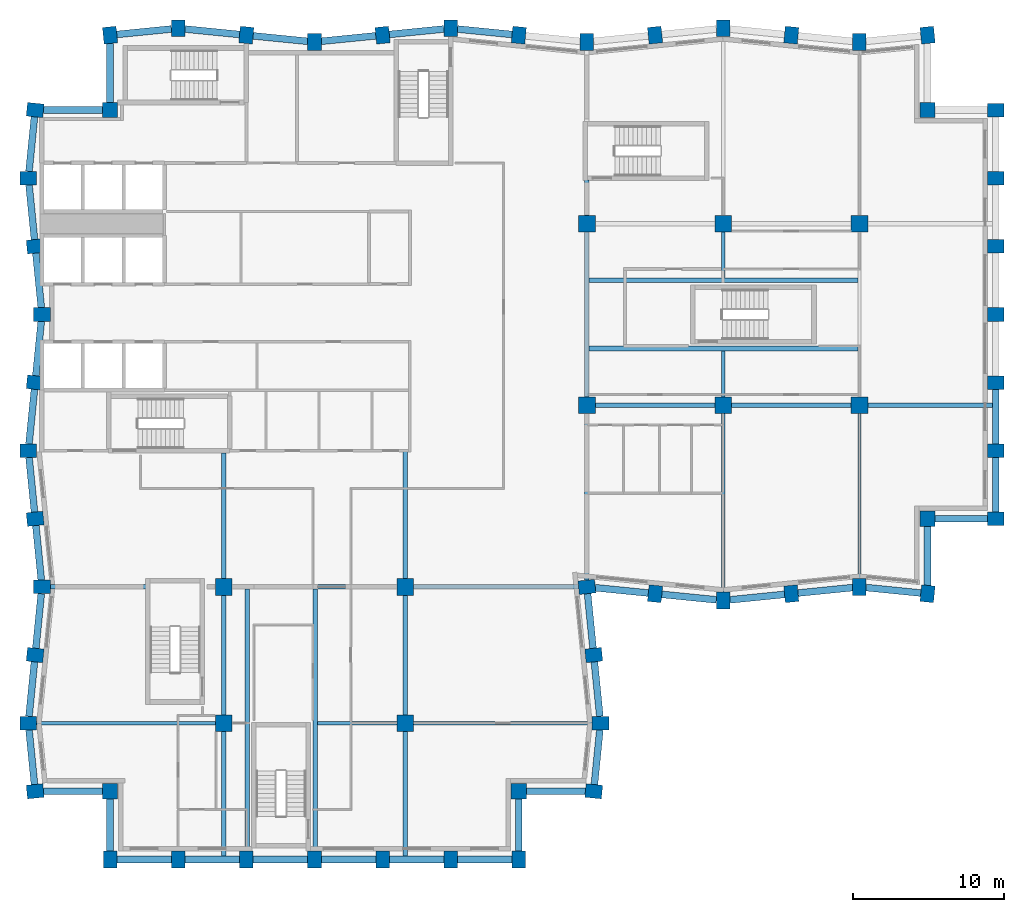
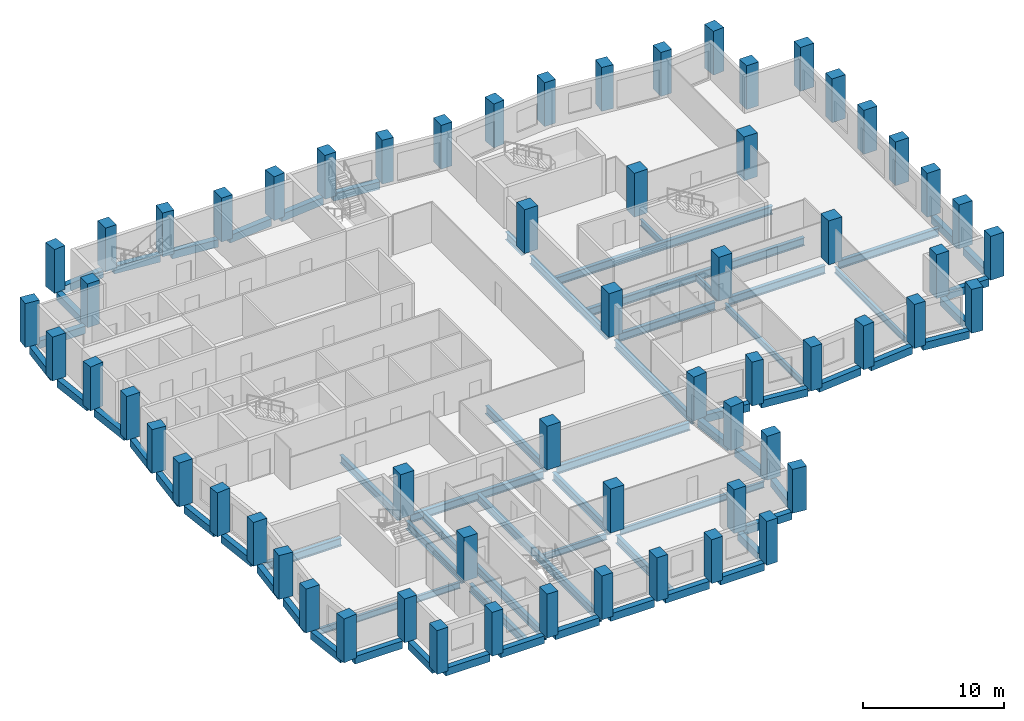
# One storey, part 1 of 10: 66 beams, 62 columns.
"""IFC4 building model written with IfcOpenShell, lengths in metres."""

from ifc_helpers import new_model, si_unit, direction, frame, origin, origin_2d, place, context, subcontext, project, spatial, rectangle, i_section, extrude, material, material_profile, profile_set, type_object, element, save


model = new_model("IFC4")

# Units and contexts
model_context = context("Model", 3, precision=1e-05, world=origin(), true_north=direction((0.0, 1.0)))
body_context = subcontext(model_context, "Body", "Model", "MODEL_VIEW")
ifc_project = project(units=[si_unit("LENGTHUNIT", "METRE"), si_unit("AREAUNIT", "SQUARE_METRE"), si_unit("VOLUMEUNIT", "CUBIC_METRE"), si_unit("PLANEANGLEUNIT", "RADIAN"), si_unit("MASSUNIT", "GRAM", prefix="KILO")], contexts=[model_context])

# Site, building, storey
site_placement = place(None, origin())
site = spatial("IfcSite", under=ifc_project, at=site_placement, CompositionType="ELEMENT")
building_placement = place(site_placement, origin())
building = spatial("IfcBuilding", under=site, at=building_placement, Name="Brondeck Convention Tower", CompositionType="ELEMENT")
storey_placement = place(building_placement, frame((0.0, 0.0, 147.199951171875)))
storey = spatial("IfcBuildingStorey", under=building, at=storey_placement, Name="L35", CompositionType="ELEMENT", Elevation=147.199951171875)

# Columns
ifc_material_1 = material(Name="Concrete C70/85", Category="concrete")
ifc_material_profile_1 = material_profile(ifc_material_1, rectangle(XDim=1.0, YDim=1.0, at=origin_2d()), Name="Corner column 1000x1000 Concrete C70/85")
ifc_profile_set_1 = profile_set([ifc_material_profile_1], Name="Concrete C70/85")
column_type_1 = type_object("IfcColumnType", Name="Corner column 1000x1000 Concrete C70/85", PredefinedType="COLUMN", material=ifc_profile_set_1)
for number, where, z_axis, x_axis, name in (
    (1, (4.5, 13.5, 0.0), (0.0, 0.0, 1.0), (1.0, 0.0, 0.0), "STR-COL-L35-NC-SWB9"),
    (2, (31.5, 13.5, 0.0), (0.0, 0.0, 1.0), (1.0, 0.0, 0.0), "STR-COL-L35-NC-SEB9"),
    (3, (58.5, 31.5, 0.0), (0.0, 0.0, 1.0), (1.0, 0.0, 0.0), "STR-COL-L35-NC-SEA63"),
    (4, (58.5, 58.5, 0.0), (0.0, 0.0, 1.0), (1.0, 0.0, 0.0), "STR-COL-L35-NC-NEA63"),
    (5, (4.5, 58.5, 0.0), (0.0, 0.0, 1.0), (1.0, 0.0, 0.0), "STR-COL-L35-NC-NW"),
):
    element("IfcColumn", number, at=place(storey_placement, frame(where, z_axis=z_axis, x_axis=x_axis)), inside=storey, type_object=column_type_1, Name=name, PredefinedType="COLUMN", context=body_context, shape_type="SweptSolid", body=[
        extrude(rectangle(XDim=1.0, YDim=1.0, at=origin_2d()), origin(), (0.0, 0.0, 1.0), 3.800048828125),
    ])
ifc_material_profile_2 = material_profile(ifc_material_1, rectangle(XDim=1.10009765625, YDim=1.10009765625, at=origin_2d()), Name="Interior column 1100x1100 Concrete C70/85")
ifc_profile_set_2 = profile_set([ifc_material_profile_2], Name="Concrete C70/85")
column_type_2 = type_object("IfcColumnType", Name="Interior column 1100x1100 Concrete C70/85", PredefinedType="COLUMN", material=ifc_profile_set_2)
for number, where, z_axis, x_axis, name in (
    (6, (12.0, 18.0, 0.0), (0.0, 0.0, 1.0), (1.0, 0.0, 0.0), "STR-COL-L35-IC-02"),
    (7, (12.0, 27.0, 0.0), (0.0, 0.0, 1.0), (1.0, 0.0, 0.0), "STR-COL-L35-IC-03"),
    (8, (24.0, 18.0, 0.0), (0.0, 0.0, 1.0), (1.0, 0.0, 0.0), "STR-COL-L35-IC-05"),
    (9, (24.0, 27.0, 0.0), (0.0, 0.0, 1.0), (1.0, 0.0, 0.0), "STR-COL-L35-IC-06"),
    (10, (36.0, 39.0, 0.0), (0.0, 0.0, 1.0), (1.0, 0.0, 0.0), "STR-COL-L35-IC-07"),
    (11, (36.0, 51.0, 0.0), (0.0, 0.0, 1.0), (1.0, 0.0, 0.0), "STR-COL-L35-IC-08"),
    (12, (45.0, 39.0, 0.0), (0.0, 0.0, 1.0), (1.0, 0.0, 0.0), "STR-COL-L35-IC-09"),
    (13, (45.0, 51.0, 0.0), (0.0, 0.0, 1.0), (1.0, 0.0, 0.0), "STR-COL-L35-IC-10"),
    (14, (54.0, 39.0, 0.0), (0.0, 0.0, 1.0), (1.0, 0.0, 0.0), "STR-COL-L35-IC-11"),
    (15, (54.0, 51.0, 0.0), (0.0, 0.0, 1.0), (1.0, 0.0, 0.0), "STR-COL-L35-IC-12"),
):
    element("IfcColumn", number, at=place(storey_placement, frame(where, z_axis=z_axis, x_axis=x_axis)), inside=storey, type_object=column_type_2, Name=name, PredefinedType="COLUMN", context=body_context, shape_type="SweptSolid", body=[
        extrude(rectangle(XDim=1.10009765625, YDim=1.10009765625, at=origin_2d()), origin(), (0.0, 0.0, 1.0), 3.800048828125),
    ])
ifc_material_profile_3 = material_profile(ifc_material_1, rectangle(XDim=0.89990234375, YDim=1.10009765625, at=origin_2d()), Name="Perimeter pier 900x1100 Concrete C70/85")
ifc_profile_set_3 = profile_set([ifc_material_profile_3], Name="Concrete C70/85")
column_type_3 = type_object("IfcColumnType", Name="Perimeter pier 900x1100 Concrete C70/85", PredefinedType="COLUMN", material=ifc_profile_set_3)
for number, where, z_axis, x_axis, name in (
    (16, (4.5, 9.0, 0.0), (0.0, 0.0, 1.0), (1.0, 0.0, 0.0), "STR-COL-L35-PC-B-S9-01"),
    (17, (9.0, 9.0, 0.0), (0.0, 0.0, 1.0), (1.0, 0.0, 0.0), "STR-COL-L35-PC-B-S9-02"),
    (18, (13.5, 9.0, 0.0), (0.0, 0.0, 1.0), (1.0, 0.0, 0.0), "STR-COL-L35-PC-B-S9-03"),
    (19, (18.0, 9.0, 0.0), (0.0, 0.0, 1.0), (1.0, 0.0, 0.0), "STR-COL-L35-PC-B-S9-04"),
    (20, (22.5, 9.0, 0.0), (0.0, 0.0, 1.0), (1.0, 0.0, 0.0), "STR-COL-L35-PC-B-S9-05"),
    (21, (27.0, 9.0, 0.0), (0.0, 0.0, 1.0), (1.0, 0.0, 0.0), "STR-COL-L35-PC-B-S9-06"),
    (22, (31.5, 9.0, 0.0), (0.0, 0.0, 1.0), (1.0, 0.0, 0.0), "STR-COL-L35-PC-B-S9-07"),
    (23, (36.449951171875, 13.5, 0.0), (0.0, 0.0, 1.0), (0.0995038382, 0.995037178292, 0.0), "STR-COL-L35-PC-B-E-03"),
    (24, (36.89990234375, 18.0, 0.0), (0.0, 0.0, 1.0), (0.0, 1.0, 0.0), "STR-COL-L35-PC-B-E-02"),
    (25, (36.449951171875, 22.5, 0.0), (0.0, 0.0, 1.0), (-0.0995038382, 0.995037178292, 0.0), "STR-COL-L35-PC-B-E-01"),
    (26, (36.0, 27.0, 0.0), (0.0, 0.0, 1.0), (-0.0995038382, 0.995037178292, 0.0), "STR-COL-L35-PC-B-E-00"),
    (27, (40.5, 26.550048828125, 0.0), (0.0, 0.0, 1.0), (0.995037178292, -0.0995038382, 0.0), "STR-COL-L35-PC-A-S-01"),
    (28, (45.0, 26.10009765625, 0.0), (0.0, 0.0, 1.0), (1.0, 0.0, 0.0), "STR-COL-L35-PC-A-S-02"),
    (29, (49.5, 26.550048828125, 0.0), (0.0, 0.0, 1.0), (0.995037178292, 0.0995038382, 0.0), "STR-COL-L35-PC-A-S-03"),
    (30, (54.0, 27.0, 0.0), (0.0, 0.0, 1.0), (1.0, 0.0, 0.0), "STR-COL-L35-PC-A-S-04"),
    (31, (58.5, 26.550048828125, 0.0), (0.0, 0.0, 1.0), (0.995037178292, -0.0995038382, 0.0), "STR-COL-L35-PC-A-S-05"),
    (32, (63.0, 31.5, 0.0), (0.0, 0.0, 1.0), (0.0, 1.0, 0.0), "STR-COL-L35-PC-A-E63-01"),
    (33, (63.0, 36.0, 0.0), (0.0, 0.0, 1.0), (0.0, 1.0, 0.0), "STR-COL-L35-PC-A-E63-02"),
    (34, (63.0, 40.5, 0.0), (0.0, 0.0, 1.0), (0.0, 1.0, 0.0), "STR-COL-L35-PC-A-E63-03"),
    (35, (63.0, 45.0, 0.0), (0.0, 0.0, 1.0), (0.0, 1.0, 0.0), "STR-COL-L35-PC-A-E63-04"),
    (36, (63.0, 49.5, 0.0), (0.0, 0.0, 1.0), (0.0, 1.0, 0.0), "STR-COL-L35-PC-A-E63-05"),
    (37, (63.0, 54.0, 0.0), (0.0, 0.0, 1.0), (0.0, 1.0, 0.0), "STR-COL-L35-PC-A-E63-06"),
    (38, (63.0, 58.5, 0.0), (0.0, 0.0, 1.0), (0.0, 1.0, 0.0), "STR-COL-L35-PC-A-E63-07"),
    (39, (58.5, 63.449951171875, 0.0), (0.0, 0.0, 1.0), (-0.995037178292, -0.0995038382, 0.0), "STR-COL-L35-PC-A-N-13"),
    (40, (54.0, 63.0, 0.0), (0.0, 0.0, 1.0), (-1.0, 0.0, 0.0), "STR-COL-L35-PC-A-N-12"),
    (41, (49.5, 63.449951171875, 0.0), (0.0, 0.0, 1.0), (-0.995037178292, 0.0995038382, 0.0), "STR-COL-L35-PC-A-N-11"),
    (42, (45.0, 63.89990234375, 0.0), (0.0, 0.0, 1.0), (-1.0, 0.0, 0.0), "STR-COL-L35-PC-A-N-10"),
    (43, (40.5, 63.449951171875, 0.0), (0.0, 0.0, 1.0), (-0.995037178292, -0.0995038382, 0.0), "STR-COL-L35-PC-A-N-09"),
    (44, (36.0, 63.0, 0.0), (0.0, 0.0, 1.0), (-1.0, 0.0, 0.0), "STR-COL-L35-PC-A-N-08"),
    (45, (31.5, 63.449951171875, 0.0), (0.0, 0.0, 1.0), (-0.995037178292, 0.0995038382, 0.0), "STR-COL-L35-PC-A-N-07"),
    (46, (27.0, 63.89990234375, 0.0), (0.0, 0.0, 1.0), (-1.0, 0.0, 0.0), "STR-COL-L35-PC-A-N-06"),
    (47, (22.5, 63.449951171875, 0.0), (0.0, 0.0, 1.0), (-0.995037178292, -0.0995038382, 0.0), "STR-COL-L35-PC-A-N-05"),
    (48, (18.0, 63.0, 0.0), (0.0, 0.0, 1.0), (-1.0, 0.0, 0.0), "STR-COL-L35-PC-A-N-04"),
    (49, (13.5, 63.449951171875, 0.0), (0.0, 0.0, 1.0), (-0.995037178292, 0.0995038382, 0.0), "STR-COL-L35-PC-A-N-03"),
    (50, (9.0, 63.89990234375, 0.0), (0.0, 0.0, 1.0), (-1.0, 0.0, 0.0), "STR-COL-L35-PC-A-N-02"),
    (51, (4.5, 63.449951171875, 0.0), (0.0, 0.0, 1.0), (-0.995037178292, -0.0995038382, 0.0), "STR-COL-L35-PC-A-N-01"),
    (52, (-0.449951171875, 58.5, 0.0), (0.0, 0.0, 1.0), (-0.0995038382, -0.995037178292, 0.0), "STR-COL-L35-PC-B-W-01"),
    (53, (-0.89990234375, 54.0, 0.0), (0.0, 0.0, 1.0), (0.0, -1.0, 0.0), "STR-COL-L35-PC-B-W-02"),
    (54, (-0.449951171875, 49.5, 0.0), (0.0, 0.0, 1.0), (0.0995038382, -0.995037178292, 0.0), "STR-COL-L35-PC-B-W-03"),
    (55, (0.0, 45.0, 0.0), (0.0, 0.0, 1.0), (0.0, -1.0, 0.0), "STR-COL-L35-PC-B-W-04"),
    (56, (-0.449951171875, 40.5, 0.0), (0.0, 0.0, 1.0), (-0.0995038382, -0.995037178292, 0.0), "STR-COL-L35-PC-B-W-05"),
    (57, (-0.89990234375, 36.0, 0.0), (0.0, 0.0, 1.0), (0.0, -1.0, 0.0), "STR-COL-L35-PC-B-W-06"),
    (58, (-0.449951171875, 31.5, 0.0), (0.0, 0.0, 1.0), (0.0995038382, -0.995037178292, 0.0), "STR-COL-L35-PC-B-W-07"),
    (59, (0.0, 27.0, 0.0), (0.0, 0.0, 1.0), (0.0, -1.0, 0.0), "STR-COL-L35-PC-B-W-08"),
    (60, (-0.449951171875, 22.5, 0.0), (0.0, 0.0, 1.0), (-0.0995038382, -0.995037178292, 0.0), "STR-COL-L35-PC-B-W-09"),
    (61, (-0.89990234375, 18.0, 0.0), (0.0, 0.0, 1.0), (0.0, -1.0, 0.0), "STR-COL-L35-PC-B-W-10"),
    (62, (-0.449951171875, 13.5, 0.0), (0.0, 0.0, 1.0), (0.0995038382, -0.995037178292, 0.0), "STR-COL-L35-PC-B-W-11"),
):
    element("IfcColumn", number, at=place(storey_placement, frame(where, z_axis=z_axis, x_axis=x_axis)), inside=storey, type_object=column_type_3, Name=name, PredefinedType="COLUMN", context=body_context, shape_type="SweptSolid", body=[
        extrude(rectangle(XDim=0.89990234375, YDim=1.10009765625, at=origin_2d()), origin(), (0.0, 0.0, 1.0), 3.800048828125),
    ])

# Beams
ifc_material_2 = material(Name="Steel S355", Category="steel")
ifc_material_profile_4 = material_profile(ifc_material_2, i_section(OverallWidth=0.2099609375, OverallDepth=0.550048828125, WebThickness=0.010986328125, FlangeThickness=0.01708984375, FilletRadius=0.02392578125, at=origin_2d()), Name="IPE 550")
ifc_profile_set_4 = profile_set([ifc_material_profile_4], Name="Steel S355")
beam_type_1 = type_object("IfcBeamType", Name="Floor beam IPE 550", PredefinedType="BEAM", material=ifc_profile_set_4)
beam_1_placement = place(storey_placement, frame((45.0, 26.64990234375, -0.574951171875), z_axis=(0.0, 1.0, 0.0), x_axis=(-1.0, 0.0, 0.0)))
element("IfcBeam", 63, at=beam_1_placement, inside=storey, type_object=beam_type_1, Name="STR-FB-L35-001", PredefinedType="BEAM", context=body_context, shape_type="SweptSolid", body=[
    extrude(i_section(OverallWidth=0.2099609375, OverallDepth=0.550048828125, WebThickness=0.010986328125, FlangeThickness=0.01708984375, FilletRadius=0.02392578125, at=origin_2d()), origin(), (0.0, 0.0, 1.0), 11.800048828125),
])
beam_2_placement = place(storey_placement, frame((54.0, 27.550048828125, -0.574951171875), z_axis=(0.0, 1.0, 0.0), x_axis=(-1.0, 0.0, 0.0)))
element("IfcBeam", 64, at=beam_2_placement, inside=storey, type_object=beam_type_1, Name="STR-FB-L35-003", PredefinedType="BEAM", context=body_context, shape_type="SweptSolid", body=[
    extrude(i_section(OverallWidth=0.2099609375, OverallDepth=0.550048828125, WebThickness=0.010986328125, FlangeThickness=0.01708984375, FilletRadius=0.02392578125, at=origin_2d()), origin(), (0.0, 0.0, 1.0), 10.89990234375),
])
for number, where, z_axis, x_axis, name in (
    (65, (-0.35009765625, 18.0, -0.574951171875), (1.0, 0.0, 0.0), (0.0, 1.0, 0.0), "STR-FB-L35-006"),
    (66, (24.550048828125, 18.0, -0.574951171875), (1.0, 0.0, 0.0), (0.0, 1.0, 0.0), "STR-FB-L35-007"),
):
    element("IfcBeam", number, at=place(storey_placement, frame(where, z_axis=z_axis, x_axis=x_axis)), inside=storey, type_object=beam_type_1, Name=name, PredefinedType="BEAM", context=body_context, shape_type="SweptSolid", body=[
        extrude(i_section(OverallWidth=0.2099609375, OverallDepth=0.550048828125, WebThickness=0.010986328125, FlangeThickness=0.01708984375, FilletRadius=0.02392578125, at=origin_2d()), origin(), (0.0, 0.0, 1.0), 11.800048828125),
    ])
for number, where, z_axis, x_axis, name in (
    (67, (45.0, 39.550048828125, -0.574951171875), (0.0, 1.0, 0.0), (-1.0, 0.0, 0.0), "STR-FB-L35-008"),
    (68, (45.0, 47.39990234375, -0.574951171875), (0.0, 1.0, 0.0), (-1.0, 0.0, 0.0), "STR-FB-L35-009"),
):
    element("IfcBeam", number, at=place(storey_placement, frame(where, z_axis=z_axis, x_axis=x_axis)), inside=storey, type_object=beam_type_1, Name=name, PredefinedType="BEAM", context=body_context, shape_type="SweptSolid", body=[
        extrude(i_section(OverallWidth=0.2099609375, OverallDepth=0.550048828125, WebThickness=0.010986328125, FlangeThickness=0.01708984375, FilletRadius=0.02392578125, at=origin_2d()), origin(), (0.0, 0.0, 1.0), 3.050048828125),
    ])
beam_3_placement = place(storey_placement, frame((18.199951171875, 18.0, -0.574951171875), z_axis=(1.0, 0.0, 0.0), x_axis=(0.0, 1.0, 0.0)))
element("IfcBeam", 69, at=beam_3_placement, inside=storey, type_object=beam_type_1, Name="STR-FB-L35-010", PredefinedType="BEAM", context=body_context, shape_type="SweptSolid", body=[
    extrude(i_section(OverallWidth=0.2099609375, OverallDepth=0.550048828125, WebThickness=0.010986328125, FlangeThickness=0.01708984375, FilletRadius=0.02392578125, at=origin_2d()), origin(), (0.0, 0.0, 1.0), 5.25),
])
ifc_material_profile_5 = material_profile(ifc_material_2, i_section(OverallWidth=0.300048828125, OverallDepth=0.699951171875, WebThickness=0.01708984375, FlangeThickness=0.031982421875, FilletRadius=0.027099609375, at=origin_2d()), Name="HEB 700")
ifc_profile_set_5 = profile_set([ifc_material_profile_5], Name="Steel S355")
beam_type_2 = type_object("IfcBeamType", Name="Girder HEB 700", PredefinedType="BEAM", material=ifc_profile_set_5)
for number, where, z_axis, x_axis, name in (
    (70, (36.550048828125, 39.0, -0.64990234375), (1.0, 0.0, 0.0), (0.0, 1.0, 0.0), "STR-GR-L35-001"),
    (71, (45.550048828125, 39.0, -0.64990234375), (1.0, 0.0, 0.0), (0.0, 1.0, 0.0), "STR-GR-L35-002"),
):
    element("IfcBeam", number, at=place(storey_placement, frame(where, z_axis=z_axis, x_axis=x_axis)), inside=storey, type_object=beam_type_2, Name=name, PredefinedType="BEAM", context=body_context, shape_type="SweptSolid", body=[
        extrude(i_section(OverallWidth=0.300048828125, OverallDepth=0.699951171875, WebThickness=0.01708984375, FlangeThickness=0.031982421875, FilletRadius=0.027099609375, at=origin_2d()), origin(), (0.0, 0.0, 1.0), 7.89990234375),
    ])
beam_4_placement = place(storey_placement, frame((54.550048828125, 39.0, -0.64990234375), z_axis=(1.0, 0.0, 0.0), x_axis=(0.0, 1.0, 0.0)))
element("IfcBeam", 72, at=beam_4_placement, inside=storey, type_object=beam_type_2, Name="STR-GR-L35-003", PredefinedType="BEAM", context=body_context, shape_type="SweptSolid", body=[
    extrude(i_section(OverallWidth=0.300048828125, OverallDepth=0.699951171875, WebThickness=0.01708984375, FlangeThickness=0.031982421875, FilletRadius=0.027099609375, at=origin_2d()), origin(), (0.0, 0.0, 1.0), 8.224853515625),
])
beam_5_placement = place(storey_placement, frame((36.0, 27.4521484375, -0.64990234375), z_axis=(0.0, 1.0, 0.0), x_axis=(-1.0, 0.0, 0.0)))
element("IfcBeam", 73, at=beam_5_placement, inside=storey, type_object=beam_type_2, Name="STR-GR-L35-007", PredefinedType="BEAM", context=body_context, shape_type="SweptSolid", body=[
    extrude(i_section(OverallWidth=0.300048828125, OverallDepth=0.699951171875, WebThickness=0.01708984375, FlangeThickness=0.031982421875, FilletRadius=0.027099609375, at=origin_2d()), origin(), (0.0, 0.0, 1.0), 10.997802734375),
])
beam_6_placement = place(storey_placement, frame((36.0, 39.550048828125, -0.64990234375), z_axis=(0.0, 1.0, 0.0), x_axis=(-1.0, 0.0, 0.0)))
element("IfcBeam", 74, at=beam_6_placement, inside=storey, type_object=beam_type_2, Name="STR-GR-L35-008", PredefinedType="BEAM", context=body_context, shape_type="SweptSolid", body=[
    extrude(i_section(OverallWidth=0.300048828125, OverallDepth=0.699951171875, WebThickness=0.01708984375, FlangeThickness=0.031982421875, FilletRadius=0.027099609375, at=origin_2d()), origin(), (0.0, 0.0, 1.0), 10.89990234375),
])
beam_7_placement = place(storey_placement, frame((36.0, 51.550048828125, -0.64990234375), z_axis=(0.0, 1.0, 0.0), x_axis=(-1.0, 0.0, 0.0)))
element("IfcBeam", 75, at=beam_7_placement, inside=storey, type_object=beam_type_2, Name="STR-GR-L35-009", PredefinedType="BEAM", context=body_context, shape_type="SweptSolid", body=[
    extrude(i_section(OverallWidth=0.300048828125, OverallDepth=0.699951171875, WebThickness=0.01708984375, FlangeThickness=0.031982421875, FilletRadius=0.027099609375, at=origin_2d()), origin(), (0.0, 0.0, 1.0), 2.329833984375),
])
beam_8_placement = place(storey_placement, frame((12.0, 35.85009765625, -0.64990234375), z_axis=(0.0, -1.0, 0.0), x_axis=(1.0, 0.0, 0.0)))
element("IfcBeam", 76, at=beam_8_placement, inside=storey, type_object=beam_type_2, Name="STR-GR-L35-011", PredefinedType="BEAM", context=body_context, shape_type="SweptSolid", body=[
    extrude(i_section(OverallWidth=0.300048828125, OverallDepth=0.699951171875, WebThickness=0.01708984375, FlangeThickness=0.031982421875, FilletRadius=0.027099609375, at=origin_2d()), origin(), (0.0, 0.0, 1.0), 8.300048828125),
])
beam_9_placement = place(storey_placement, frame((12.0, 26.449951171875, -0.64990234375), z_axis=(0.0, -1.0, 0.0), x_axis=(1.0, 0.0, 0.0)))
element("IfcBeam", 77, at=beam_9_placement, inside=storey, type_object=beam_type_2, Name="STR-GR-L35-012", PredefinedType="BEAM", context=body_context, shape_type="SweptSolid", body=[
    extrude(i_section(OverallWidth=0.300048828125, OverallDepth=0.699951171875, WebThickness=0.01708984375, FlangeThickness=0.031982421875, FilletRadius=0.027099609375, at=origin_2d()), origin(), (0.0, 0.0, 1.0), 7.89990234375),
])
beam_10_placement = place(storey_placement, frame((12.0, 17.449951171875, -0.64990234375), z_axis=(0.0, -1.0, 0.0), x_axis=(1.0, 0.0, 0.0)))
element("IfcBeam", 78, at=beam_10_placement, inside=storey, type_object=beam_type_2, Name="STR-GR-L35-013", PredefinedType="BEAM", context=body_context, shape_type="SweptSolid", body=[
    extrude(i_section(OverallWidth=0.300048828125, OverallDepth=0.699951171875, WebThickness=0.01708984375, FlangeThickness=0.031982421875, FilletRadius=0.027099609375, at=origin_2d()), origin(), (0.0, 0.0, 1.0), 8.224853515625),
])
beam_11_placement = place(storey_placement, frame((24.0, 35.955078125, -0.64990234375), z_axis=(0.0, -1.0, 0.0), x_axis=(1.0, 0.0, 0.0)))
element("IfcBeam", 79, at=beam_11_placement, inside=storey, type_object=beam_type_2, Name="STR-GR-L35-014", PredefinedType="BEAM", context=body_context, shape_type="SweptSolid", body=[
    extrude(i_section(OverallWidth=0.300048828125, OverallDepth=0.699951171875, WebThickness=0.01708984375, FlangeThickness=0.031982421875, FilletRadius=0.027099609375, at=origin_2d()), origin(), (0.0, 0.0, 1.0), 8.405029296875),
])
beam_12_placement = place(storey_placement, frame((24.0, 26.449951171875, -0.64990234375), z_axis=(0.0, -1.0, 0.0), x_axis=(1.0, 0.0, 0.0)))
element("IfcBeam", 80, at=beam_12_placement, inside=storey, type_object=beam_type_2, Name="STR-GR-L35-015", PredefinedType="BEAM", context=body_context, shape_type="SweptSolid", body=[
    extrude(i_section(OverallWidth=0.300048828125, OverallDepth=0.699951171875, WebThickness=0.01708984375, FlangeThickness=0.031982421875, FilletRadius=0.027099609375, at=origin_2d()), origin(), (0.0, 0.0, 1.0), 7.89990234375),
])
beam_13_placement = place(storey_placement, frame((24.0, 17.449951171875, -0.64990234375), z_axis=(0.0, -1.0, 0.0), x_axis=(1.0, 0.0, 0.0)))
element("IfcBeam", 81, at=beam_13_placement, inside=storey, type_object=beam_type_2, Name="STR-GR-L35-016", PredefinedType="BEAM", context=body_context, shape_type="SweptSolid", body=[
    extrude(i_section(OverallWidth=0.300048828125, OverallDepth=0.699951171875, WebThickness=0.01708984375, FlangeThickness=0.031982421875, FilletRadius=0.027099609375, at=origin_2d()), origin(), (0.0, 0.0, 1.0), 8.224853515625),
])
beam_14_placement = place(storey_placement, frame((0.550048828125, 27.0, -0.64990234375), z_axis=(1.0, 0.0, 0.0), x_axis=(0.0, 1.0, 0.0)))
element("IfcBeam", 82, at=beam_14_placement, inside=storey, type_object=beam_type_2, Name="STR-GR-L35-017", PredefinedType="BEAM", context=body_context, shape_type="SweptSolid", body=[
    extrude(i_section(OverallWidth=0.300048828125, OverallDepth=0.699951171875, WebThickness=0.01708984375, FlangeThickness=0.031982421875, FilletRadius=0.027099609375, at=origin_2d()), origin(), (0.0, 0.0, 1.0), 6.329833984375),
])
beam_15_placement = place(storey_placement, frame((12.550048828125, 27.0, -0.64990234375), z_axis=(1.0, 0.0, 0.0), x_axis=(0.0, 1.0, 0.0)))
element("IfcBeam", 83, at=beam_15_placement, inside=storey, type_object=beam_type_2, Name="STR-GR-L35-018", PredefinedType="BEAM", context=body_context, shape_type="SweptSolid", body=[
    extrude(i_section(OverallWidth=0.300048828125, OverallDepth=0.699951171875, WebThickness=0.01708984375, FlangeThickness=0.031982421875, FilletRadius=0.027099609375, at=origin_2d()), origin(), (0.0, 0.0, 1.0), 10.89990234375),
])
beam_16_placement = place(storey_placement, frame((24.550048828125, 27.0, -0.64990234375), z_axis=(1.0, 0.0, 0.0), x_axis=(0.0, 1.0, 0.0)))
element("IfcBeam", 84, at=beam_16_placement, inside=storey, type_object=beam_type_2, Name="STR-GR-L35-019", PredefinedType="BEAM", context=body_context, shape_type="SweptSolid", body=[
    extrude(i_section(OverallWidth=0.300048828125, OverallDepth=0.699951171875, WebThickness=0.01708984375, FlangeThickness=0.031982421875, FilletRadius=0.027099609375, at=origin_2d()), origin(), (0.0, 0.0, 1.0), 10.897216796875),
])
for number, where, z_axis, x_axis, name in (
    (85, (36.14990234375, 42.75, -0.64990234375), (1.0, 0.0, 0.0), (0.0, 1.0, 0.0), "STR-GR-L35-020"),
    (86, (36.14990234375, 47.25, -0.64990234375), (1.0, 0.0, 0.0), (0.0, 1.0, 0.0), "STR-GR-L35-021"),
):
    element("IfcBeam", number, at=place(storey_placement, frame(where, z_axis=z_axis, x_axis=x_axis)), inside=storey, type_object=beam_type_2, Name=name, PredefinedType="BEAM", context=body_context, shape_type="SweptSolid", body=[
        extrude(i_section(OverallWidth=0.300048828125, OverallDepth=0.699951171875, WebThickness=0.01708984375, FlangeThickness=0.031982421875, FilletRadius=0.027099609375, at=origin_2d()), origin(), (0.0, 0.0, 1.0), 17.7451171875),
    ])
for number, where, z_axis, x_axis, name in (
    (87, (13.550048828125, 9.550048828125, -0.64990234375), (0.0, 1.0, 0.0), (-1.0, 0.0, 0.0), "STR-GR-L35-022"),
    (88, (18.050048828125, 9.550048828125, -0.64990234375), (0.0, 1.0, 0.0), (-1.0, 0.0, 0.0), "STR-GR-L35-023"),
):
    element("IfcBeam", number, at=place(storey_placement, frame(where, z_axis=z_axis, x_axis=x_axis)), inside=storey, type_object=beam_type_2, Name=name, PredefinedType="BEAM", context=body_context, shape_type="SweptSolid", body=[
        extrude(i_section(OverallWidth=0.300048828125, OverallDepth=0.699951171875, WebThickness=0.01708984375, FlangeThickness=0.031982421875, FilletRadius=0.027099609375, at=origin_2d()), origin(), (0.0, 0.0, 1.0), 17.300048828125),
    ])
ifc_material_profile_6 = material_profile(ifc_material_1, rectangle(XDim=0.449951171875, YDim=0.64990234375, at=origin_2d()), Name="Precast spandrel 450x650 Concrete C70/85")
ifc_profile_set_6 = profile_set([ifc_material_profile_6], Name="Concrete C70/85")
beam_type_3 = type_object("IfcBeamType", Name="Precast spandrel 450x650 Concrete C70/85", PredefinedType="SPANDREL", material=ifc_profile_set_6)
for number, where, z_axis, x_axis, name in (
    (89, (4.949951171875, 9.0, -0.324951171875), (1.0, 0.0, 0.0), (0.0, 1.0, 0.0), "STR-SP-L35-001"),
    (90, (9.449951171875, 9.0, -0.324951171875), (1.0, 0.0, 0.0), (0.0, 1.0, 0.0), "STR-SP-L35-002"),
    (91, (13.949951171875, 9.0, -0.324951171875), (1.0, 0.0, 0.0), (0.0, 1.0, 0.0), "STR-SP-L35-003"),
    (92, (18.449951171875, 9.0, -0.324951171875), (1.0, 0.0, 0.0), (0.0, 1.0, 0.0), "STR-SP-L35-004"),
    (93, (22.949951171875, 9.0, -0.324951171875), (1.0, 0.0, 0.0), (0.0, 1.0, 0.0), "STR-SP-L35-005"),
    (94, (27.449951171875, 9.0, -0.324951171875), (1.0, 0.0, 0.0), (0.0, 1.0, 0.0), "STR-SP-L35-006"),
):
    element("IfcBeam", number, at=place(storey_placement, frame(where, z_axis=z_axis, x_axis=x_axis)), inside=storey, type_object=beam_type_3, Name=name, PredefinedType="SPANDREL", context=body_context, shape_type="SweptSolid", body=[
        extrude(rectangle(XDim=0.449951171875, YDim=0.64990234375, at=origin_2d()), origin(), (0.0, 0.0, 1.0), 3.60009765625),
    ])
beam_17_placement = place(storey_placement, frame((31.5, 9.550048828125, -0.324951171875), z_axis=(0.0, 1.0, 0.0), x_axis=(-1.0, 0.0, 0.0)))
element("IfcBeam", 95, at=beam_17_placement, inside=storey, type_object=beam_type_3, Name="STR-SP-L35-007", PredefinedType="SPANDREL", context=body_context, shape_type="SweptSolid", body=[
    extrude(rectangle(XDim=0.449951171875, YDim=0.64990234375, at=origin_2d()), origin(), (0.0, 0.0, 1.0), 3.449951171875),
])
beam_18_placement = place(storey_placement, frame((32.0, 13.5, -0.324951171875), z_axis=(1.0, 0.0, 0.0), x_axis=(0.0, 1.0, 0.0)))
element("IfcBeam", 96, at=beam_18_placement, inside=storey, type_object=beam_type_3, Name="STR-SP-L35-008", PredefinedType="SPANDREL", context=body_context, shape_type="SweptSolid", body=[
    extrude(rectangle(XDim=0.449951171875, YDim=0.64990234375, at=origin_2d()), origin(), (0.0, 0.0, 1.0), 3.897216796875),
])
for number, where, z_axis, x_axis, name in (
    (97, (36.494873046875, 13.94775390625, -0.324951171875), (0.099470334057, 0.995040528141, 0.0), (-0.995040528141, 0.099470334057, 0.0), "STR-SP-L35-009"),
    (98, (36.85498046875, 18.449951171875, -0.324951171875), (-0.099470334057, 0.995040528141, 0.0), (-0.995040528141, -0.099470334057, 0.0), "STR-SP-L35-010"),
):
    element("IfcBeam", number, at=place(storey_placement, frame(where, z_axis=z_axis, x_axis=x_axis)), inside=storey, type_object=beam_type_3, Name=name, PredefinedType="SPANDREL", context=body_context, shape_type="SweptSolid", body=[
        extrude(rectangle(XDim=0.449951171875, YDim=0.64990234375, at=origin_2d()), origin(), (0.0, 0.0, 1.0), 3.620361328125),
    ])
beam_19_placement = place(storey_placement, frame((36.4052734375, 22.94775390625, -0.324951171875), z_axis=(-0.099543756114, 0.995033185687, 0.0), x_axis=(-0.995033185687, -0.099543756114, 0.0)))
element("IfcBeam", 99, at=beam_19_placement, inside=storey, type_object=beam_type_3, Name="STR-SP-L35-011", PredefinedType="SPANDREL", context=body_context, shape_type="SweptSolid", body=[
    extrude(rectangle(XDim=0.449951171875, YDim=0.64990234375, at=origin_2d()), origin(), (0.0, 0.0, 1.0), 3.62255859375),
])
beam_20_placement = place(storey_placement, frame((36.558349609375, 26.944091796875, -0.324951171875), z_axis=(0.995037878598, -0.099496834901, 0.0), x_axis=(0.099496834901, 0.995037878598, 0.0)))
element("IfcBeam", 100, at=beam_20_placement, inside=storey, type_object=beam_type_3, Name="STR-SP-L35-012", PredefinedType="SPANDREL", context=body_context, shape_type="SweptSolid", body=[
    extrude(rectangle(XDim=0.449951171875, YDim=0.64990234375, at=origin_2d()), origin(), (0.0, 0.0, 1.0), 3.51123046875),
])
for number, where, z_axis, x_axis, name in (
    (101, (40.94775390625, 26.505126953125, -0.324951171875), (0.995040528141, -0.099470334057, 0.0), (0.099470334057, 0.995040528141, 0.0), "STR-SP-L35-013"),
    (102, (45.449951171875, 26.14501953125, -0.324951171875), (0.995040528141, 0.099470334057, 0.0), (-0.099470334057, 0.995040528141, 0.0), "STR-SP-L35-014"),
    (103, (49.94775390625, 26.5947265625, -0.324951171875), (0.995033851182, 0.099537103649, 0.0), (-0.099537103649, 0.995033851182, 0.0), "STR-SP-L35-015"),
    (104, (54.449951171875, 26.955078125, -0.324951171875), (0.995033851182, -0.099537103649, 0.0), (0.099537103649, 0.995033851182, 0.0), "STR-SP-L35-016"),
):
    element("IfcBeam", number, at=place(storey_placement, frame(where, z_axis=z_axis, x_axis=x_axis)), inside=storey, type_object=beam_type_3, Name=name, PredefinedType="SPANDREL", context=body_context, shape_type="SweptSolid", body=[
        extrude(rectangle(XDim=0.449951171875, YDim=0.64990234375, at=origin_2d()), origin(), (0.0, 0.0, 1.0), 3.620361328125),
    ])
beam_21_placement = place(storey_placement, frame((58.5, 27.102783203125, -0.324951171875), z_axis=(0.0, 1.0, 0.0), x_axis=(-1.0, 0.0, 0.0)))
element("IfcBeam", 105, at=beam_21_placement, inside=storey, type_object=beam_type_3, Name="STR-SP-L35-017", PredefinedType="SPANDREL", context=body_context, shape_type="SweptSolid", body=[
    extrude(rectangle(XDim=0.449951171875, YDim=0.64990234375, at=origin_2d()), origin(), (0.0, 0.0, 1.0), 3.897216796875),
])
beam_22_placement = place(storey_placement, frame((59.0, 31.5, -0.324951171875), z_axis=(1.0, 0.0, 0.0), x_axis=(0.0, 1.0, 0.0)))
element("IfcBeam", 106, at=beam_22_placement, inside=storey, type_object=beam_type_3, Name="STR-SP-L35-018", PredefinedType="SPANDREL", context=body_context, shape_type="SweptSolid", body=[
    extrude(rectangle(XDim=0.449951171875, YDim=0.64990234375, at=origin_2d()), origin(), (0.0, 0.0, 1.0), 3.449951171875),
])
for number, where, z_axis, x_axis, name in (
    (107, (63.0, 31.949951171875, -0.324951171875), (0.0, 1.0, 0.0), (-1.0, 0.0, 0.0), "STR-SP-L35-019"),
    (108, (63.0, 36.449951171875, -0.324951171875), (0.0, 1.0, 0.0), (-1.0, 0.0, 0.0), "STR-SP-L35-020"),
):
    element("IfcBeam", number, at=place(storey_placement, frame(where, z_axis=z_axis, x_axis=x_axis)), inside=storey, type_object=beam_type_3, Name=name, PredefinedType="SPANDREL", context=body_context, shape_type="SweptSolid", body=[
        extrude(rectangle(XDim=0.449951171875, YDim=0.64990234375, at=origin_2d()), origin(), (0.0, 0.0, 1.0), 3.60009765625),
    ])
for number, where, z_axis, x_axis, name in (
    (109, (31.05224609375, 63.494873046875, -0.324951171875), (-0.995040528141, 0.099470334057, 0.0), (-0.099470334057, -0.995040528141, 0.0), "STR-SP-L35-033"),
    (110, (26.550048828125, 63.85498046875, -0.324951171875), (-0.995040528141, -0.099470334057, 0.0), (0.099470334057, -0.995040528141, 0.0), "STR-SP-L35-034"),
    (111, (22.05224609375, 63.4052734375, -0.324951171875), (-0.995033851182, -0.099537103649, 0.0), (0.099537103649, -0.995033851182, 0.0), "STR-SP-L35-035"),
    (112, (17.550048828125, 63.044921875, -0.324951171875), (-0.995033851182, 0.099537103649, 0.0), (-0.099537103649, -0.995033851182, 0.0), "STR-SP-L35-036"),
    (113, (13.05224609375, 63.494873046875, -0.324951171875), (-0.995040528141, 0.099470334057, 0.0), (-0.099470334057, -0.995040528141, 0.0), "STR-SP-L35-037"),
    (114, (8.550048828125, 63.85498046875, -0.324951171875), (-0.995040528141, -0.099470334057, 0.0), (0.099470334057, -0.995040528141, 0.0), "STR-SP-L35-038"),
):
    element("IfcBeam", number, at=place(storey_placement, frame(where, z_axis=z_axis, x_axis=x_axis)), inside=storey, type_object=beam_type_3, Name=name, PredefinedType="SPANDREL", context=body_context, shape_type="SweptSolid", body=[
        extrude(rectangle(XDim=0.449951171875, YDim=0.64990234375, at=origin_2d()), origin(), (0.0, 0.0, 1.0), 3.620361328125),
    ])
for number, where, z_axis, x_axis, name in (
    (115, (4.5, 62.897216796875, -0.324951171875), (0.0, -1.0, 0.0), (1.0, 0.0, 0.0), "STR-SP-L35-039"),
    (116, (4.0, 58.5, -0.324951171875), (-1.0, 0.0, 0.0), (0.0, -1.0, 0.0), "STR-SP-L35-040"),
):
    element("IfcBeam", number, at=place(storey_placement, frame(where, z_axis=z_axis, x_axis=x_axis)), inside=storey, type_object=beam_type_3, Name=name, PredefinedType="SPANDREL", context=body_context, shape_type="SweptSolid", body=[
        extrude(rectangle(XDim=0.449951171875, YDim=0.64990234375, at=origin_2d()), origin(), (0.0, 0.0, 1.0), 3.897216796875),
    ])
for number, where, z_axis, x_axis, name in (
    (117, (-0.494873046875, 58.05224609375, -0.324951171875), (-0.099470334057, -0.995040528141, 0.0), (0.995040528141, -0.099470334057, 0.0), "STR-SP-L35-041"),
    (118, (-0.85498046875, 53.550048828125, -0.324951171875), (0.099470334057, -0.995040528141, 0.0), (0.995040528141, 0.099470334057, 0.0), "STR-SP-L35-042"),
    (119, (-0.4052734375, 49.05224609375, -0.324951171875), (0.099537103649, -0.995033851182, 0.0), (0.995033851182, 0.099537103649, 0.0), "STR-SP-L35-043"),
    (120, (-0.044921875, 44.550048828125, -0.324951171875), (-0.099537103649, -0.995033851182, 0.0), (0.995033851182, -0.099537103649, 0.0), "STR-SP-L35-044"),
    (121, (-0.494873046875, 40.05224609375, -0.324951171875), (-0.099470334057, -0.995040528141, 0.0), (0.995040528141, -0.099470334057, 0.0), "STR-SP-L35-045"),
    (122, (-0.85498046875, 35.550048828125, -0.324951171875), (0.099470334057, -0.995040528141, 0.0), (0.995040528141, 0.099470334057, 0.0), "STR-SP-L35-046"),
    (123, (-0.4052734375, 31.05224609375, -0.324951171875), (0.099537103649, -0.995033851182, 0.0), (0.995033851182, 0.099537103649, 0.0), "STR-SP-L35-047"),
    (124, (-0.044921875, 26.550048828125, -0.324951171875), (-0.099537103649, -0.995033851182, 0.0), (0.995033851182, -0.099537103649, 0.0), "STR-SP-L35-048"),
    (125, (-0.494873046875, 22.05224609375, -0.324951171875), (-0.099470334057, -0.995040528141, 0.0), (0.995040528141, -0.099470334057, 0.0), "STR-SP-L35-049"),
    (126, (-0.85498046875, 17.550048828125, -0.324951171875), (0.099470334057, -0.995040528141, 0.0), (0.995040528141, 0.099470334057, 0.0), "STR-SP-L35-050"),
):
    element("IfcBeam", number, at=place(storey_placement, frame(where, z_axis=z_axis, x_axis=x_axis)), inside=storey, type_object=beam_type_3, Name=name, PredefinedType="SPANDREL", context=body_context, shape_type="SweptSolid", body=[
        extrude(rectangle(XDim=0.449951171875, YDim=0.64990234375, at=origin_2d()), origin(), (0.0, 0.0, 1.0), 3.620361328125),
    ])
beam_23_placement = place(storey_placement, frame((0.102783203125, 13.5, -0.324951171875), z_axis=(1.0, 0.0, 0.0), x_axis=(0.0, 1.0, 0.0)))
element("IfcBeam", 127, at=beam_23_placement, inside=storey, type_object=beam_type_3, Name="STR-SP-L35-051", PredefinedType="SPANDREL", context=body_context, shape_type="SweptSolid", body=[
    extrude(rectangle(XDim=0.449951171875, YDim=0.64990234375, at=origin_2d()), origin(), (0.0, 0.0, 1.0), 3.897216796875),
])
beam_24_placement = place(storey_placement, frame((4.5, 13.0, -0.324951171875), z_axis=(0.0, -1.0, 0.0), x_axis=(1.0, 0.0, 0.0)))
element("IfcBeam", 128, at=beam_24_placement, inside=storey, type_object=beam_type_3, Name="STR-SP-L35-052", PredefinedType="SPANDREL", context=body_context, shape_type="SweptSolid", body=[
    extrude(rectangle(XDim=0.449951171875, YDim=0.64990234375, at=origin_2d()), origin(), (0.0, 0.0, 1.0), 3.449951171875),
])

save(model, "model.ifc")
